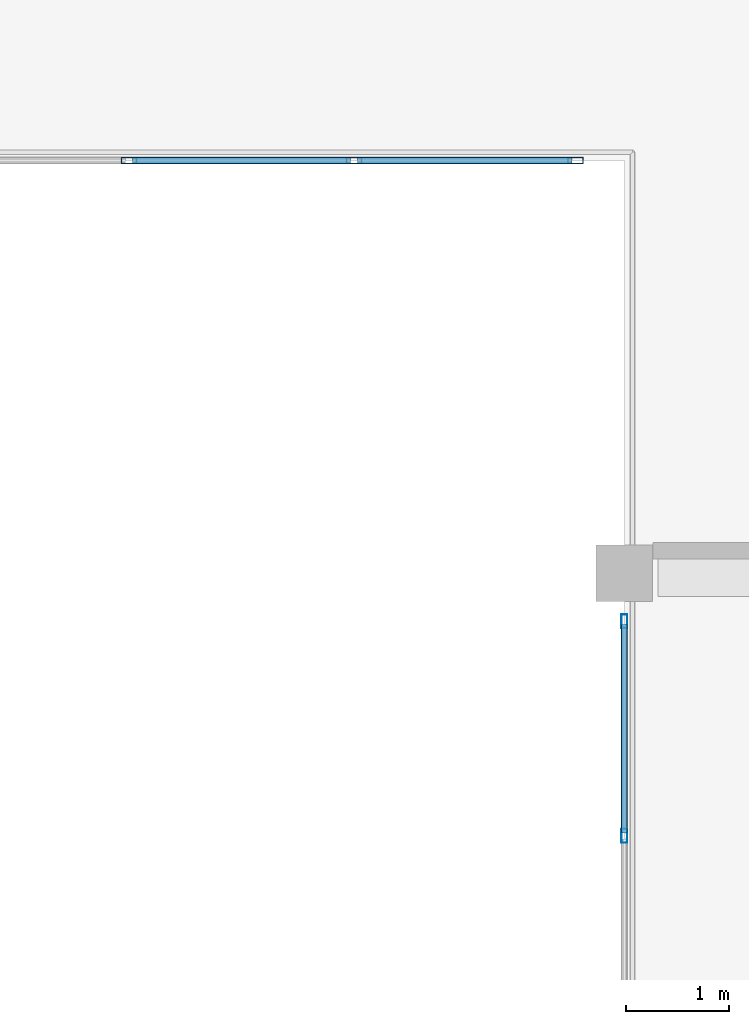
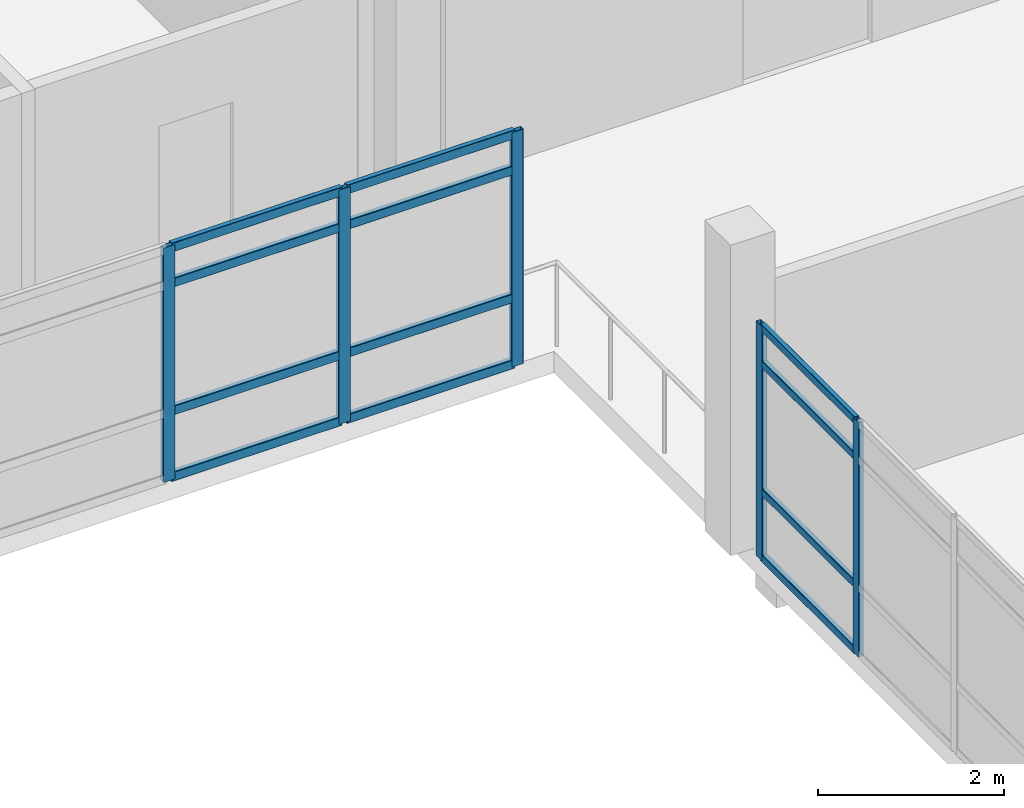
# One storey, part 20 of 50: 17 members, 2 elements without a shape of their own.
"""IFC4 building model written with IfcOpenShell, lengths in metres."""

from ifc_helpers import new_model, si_unit, direction, frame, origin, origin_2d, place, context, subcontext, project, spatial, hollow_rectangle, extrude, material, layer, layer_set, material_profile, profile_set, type_object, element, aggregate, save


model = new_model("IFC4")

# Units and contexts
model_context = context("Model", 3, precision=1e-05, world=origin(), true_north=direction((0.0, 1.0)))
body_context = subcontext(model_context, "Body", "Model", "MODEL_VIEW")
ifc_project = project(units=[si_unit("LENGTHUNIT", "METRE"), si_unit("AREAUNIT", "SQUARE_METRE"), si_unit("VOLUMEUNIT", "CUBIC_METRE"), si_unit("PLANEANGLEUNIT", "RADIAN"), si_unit("MASSUNIT", "GRAM", prefix="KILO")], contexts=[model_context])

# Site, building, storey
site_placement = place(None, origin())
site = spatial("IfcSite", under=ifc_project, at=site_placement, CompositionType="ELEMENT")
building_placement = place(site_placement, origin())
building = spatial("IfcBuilding", under=site, at=building_placement, Name="Asteropetra Specialist Clinic", CompositionType="ELEMENT")
storey_placement = place(building_placement, frame((0.0, 0.0, 16.659912109375)))
storey = spatial("IfcBuildingStorey", under=building, at=storey_placement, Name="L04", CompositionType="ELEMENT", Elevation=16.659912109375)

# Curtain wall, members
ifc_material_1 = material(Name="Aluminium and low-E glass", Category="aluminium")
ifc_layer_1 = layer(ifc_material_1, 0.135009765625)
ifc_layer_set_1 = layer_set([ifc_layer_1], Name="Aluminium and low-E glass")
curtain_wall_type_1 = type_object("IfcCurtainWallType", Name="CW-SYS-06", PredefinedType="USERDEFINED", material=ifc_layer_set_1)
curtain_wall_1_placement = place(storey_placement, origin())
curtain_wall_1 = element("IfcCurtainWall", 1, at=curtain_wall_1_placement, inside=storey, type_object=curtain_wall_type_1, Name="Curtain Wall CW-056", ObjectType="UNITISED CURTAIN WALL", PredefinedType="USERDEFINED")
ifc_material_2 = material(Name="Aluminium 6063-T6", Category="aluminium")
ifc_material_profile_1 = material_profile(ifc_material_2, hollow_rectangle(XDim=0.06005859375, YDim=0.135009765625, WallThickness=0.00341796875, InnerFilletRadius=0.00341796875, OuterFilletRadius=0.007080078125, at=origin_2d()), Name="MUL 135x60x3.5")
ifc_profile_set_1 = profile_set([ifc_material_profile_1], Name="Aluminium 6063-T6")
member_type_1 = type_object("IfcMemberType", Name="CWM-135x60", PredefinedType="MULLION", material=ifc_profile_set_1)
member_1_placement = place(storey_placement, frame((28.800048828125, 88.655029296875, 0.0), z_axis=(0.0, 0.0, 1.0), x_axis=(-1.0, 0.0, 0.0)))
member_1 = element("IfcMember", 2, at=member_1_placement, type_object=member_type_1, Name="CW-056 mullion 3", PredefinedType="MULLION", context=body_context, shape_type="SweptSolid", body=[
    extrude(hollow_rectangle(XDim=0.06005859375, YDim=0.135009765625, WallThickness=0.00341796875, InnerFilletRadius=0.00341796875, OuterFilletRadius=0.007080078125, at=origin_2d()), origin(), (0.0, 0.0, 1.0), 3.080078125),
])
member_2_placement = place(storey_placement, frame((28.800048828125, 90.735107421875, 0.0), z_axis=(0.0, 0.0, 1.0), x_axis=(-1.0, 0.0, 0.0)))
member_2 = element("IfcMember", 3, at=member_2_placement, type_object=member_type_1, Name="CW-056 mullion 4", PredefinedType="MULLION", context=body_context, shape_type="SweptSolid", body=[
    extrude(hollow_rectangle(XDim=0.06005859375, YDim=0.135009765625, WallThickness=0.00341796875, InnerFilletRadius=0.00341796875, OuterFilletRadius=0.007080078125, at=origin_2d()), origin(), (0.0, 0.0, 1.0), 3.080078125),
])

ifc_material_3 = material(Name="Aluminium and low-E glass", Category="aluminium")
ifc_layer_2 = layer(ifc_material_3, 0.179931640625)
ifc_layer_set_2 = layer_set([ifc_layer_2], Name="Aluminium and low-E glass")
curtain_wall_type_2 = type_object("IfcCurtainWallType", Name="CW-SYS-04", PredefinedType="USERDEFINED", material=ifc_layer_set_2)
curtain_wall_2_placement = place(storey_placement, origin())
curtain_wall_2 = element("IfcCurtainWall", 4, at=curtain_wall_2_placement, inside=storey, type_object=curtain_wall_type_2, Name="Curtain Wall CW-052", ObjectType="UNITISED CURTAIN WALL", PredefinedType="USERDEFINED")
ifc_material_4 = material(Name="Aluminium 6063-T6", Category="aluminium")
ifc_material_profile_2 = material_profile(ifc_material_4, hollow_rectangle(XDim=0.06494140625, YDim=0.14990234375, WallThickness=0.00390625, InnerFilletRadius=0.00390625, OuterFilletRadius=0.008056640625, at=origin_2d()), Name="MUL 150x65x4.0")
ifc_profile_set_2 = profile_set([ifc_material_profile_2], Name="Aluminium 6063-T6")
member_type_2 = type_object("IfcMemberType", Name="CWM-150x65", PredefinedType="MULLION", material=ifc_profile_set_2)
member_3_placement = place(storey_placement, frame((28.327392578125, 95.199951171875, 0.0), z_axis=(0.0, 0.0, 1.0), x_axis=(0.0, -1.0, 0.0)))
member_3 = element("IfcMember", 5, at=member_3_placement, type_object=member_type_2, Name="CW-052 mullion 1", PredefinedType="MULLION", context=body_context, shape_type="SweptSolid", body=[
    extrude(hollow_rectangle(XDim=0.06494140625, YDim=0.14990234375, WallThickness=0.00390625, InnerFilletRadius=0.00390625, OuterFilletRadius=0.008056640625, at=origin_2d()), origin(), (0.0, 0.0, 1.0), 3.080078125),
])
member_4_placement = place(storey_placement, frame((26.179931640625, 95.199951171875, 0.0), z_axis=(0.0, 0.0, 1.0), x_axis=(0.0, -1.0, 0.0)))
member_4 = element("IfcMember", 6, at=member_4_placement, type_object=member_type_2, Name="CW-052 mullion 2", PredefinedType="MULLION", context=body_context, shape_type="SweptSolid", body=[
    extrude(hollow_rectangle(XDim=0.06494140625, YDim=0.14990234375, WallThickness=0.00390625, InnerFilletRadius=0.00390625, OuterFilletRadius=0.008056640625, at=origin_2d()), origin(), (0.0, 0.0, 1.0), 3.080078125),
])
member_5_placement = place(storey_placement, frame((24.0, 95.199951171875, 0.0), z_axis=(0.0, 0.0, 1.0), x_axis=(0.0, -1.0, 0.0)))
member_5 = element("IfcMember", 7, at=member_5_placement, type_object=member_type_2, Name="CW-052 mullion 3", PredefinedType="MULLION", context=body_context, shape_type="SweptSolid", body=[
    extrude(hollow_rectangle(XDim=0.06494140625, YDim=0.14990234375, WallThickness=0.00390625, InnerFilletRadius=0.00390625, OuterFilletRadius=0.008056640625, at=origin_2d()), origin(), (0.0, 0.0, 1.0), 3.080078125),
])

# Member
ifc_material_5 = material(Name="Aluminium 6063-T6", Category="aluminium")
ifc_material_profile_3 = material_profile(ifc_material_5, hollow_rectangle(XDim=0.06005859375, YDim=0.10009765625, WallThickness=0.00341796875, InnerFilletRadius=0.00341796875, OuterFilletRadius=0.007080078125, at=origin_2d()), Name="TRN 100x60x3.5")
ifc_profile_set_3 = profile_set([ifc_material_profile_3], Name="Aluminium 6063-T6")
member_type_3 = type_object("IfcMemberType", Name="CWT-100x60", PredefinedType="USERDEFINED", material=ifc_profile_set_3)
member_6_placement = place(storey_placement, frame((28.800048828125, 88.68505859375, 0.030029296875), z_axis=(0.0, 1.0, 0.0), x_axis=(-1.0, 0.0, 0.0)))
member_6 = element("IfcMember", 8, at=member_6_placement, type_object=member_type_3, Name="CW-056 transom 3.1", ObjectType="TRANSOM", PredefinedType="USERDEFINED", context=body_context, shape_type="SweptSolid", body=[
    extrude(hollow_rectangle(XDim=0.06005859375, YDim=0.10009765625, WallThickness=0.00341796875, InnerFilletRadius=0.00341796875, OuterFilletRadius=0.007080078125, at=origin_2d()), origin(), (0.0, 0.0, 1.0), 2.02001953125),
])

member_7_placement = place(storey_placement, frame((28.800048828125, 88.68505859375, 0.900146484375), z_axis=(0.0, 1.0, 0.0), x_axis=(-1.0, 0.0, 0.0)))
member_7 = element("IfcMember", 9, at=member_7_placement, type_object=member_type_3, Name="CW-056 transom 3.2", ObjectType="TRANSOM", PredefinedType="USERDEFINED", context=body_context, shape_type="SweptSolid", body=[
    extrude(hollow_rectangle(XDim=0.06005859375, YDim=0.10009765625, WallThickness=0.00341796875, InnerFilletRadius=0.00341796875, OuterFilletRadius=0.007080078125, at=origin_2d()), origin(), (0.0, 0.0, 1.0), 2.02001953125),
])

member_8_placement = place(storey_placement, frame((28.800048828125, 88.68505859375, 2.580078125), z_axis=(0.0, 1.0, 0.0), x_axis=(-1.0, 0.0, 0.0)))
member_8 = element("IfcMember", 10, at=member_8_placement, type_object=member_type_3, Name="CW-056 transom 3.3", ObjectType="TRANSOM", PredefinedType="USERDEFINED", context=body_context, shape_type="SweptSolid", body=[
    extrude(hollow_rectangle(XDim=0.06005859375, YDim=0.10009765625, WallThickness=0.00341796875, InnerFilletRadius=0.00341796875, OuterFilletRadius=0.007080078125, at=origin_2d()), origin(), (0.0, 0.0, 1.0), 2.02001953125),
])

member_9_placement = place(storey_placement, frame((28.800048828125, 88.68505859375, 3.050048828125), z_axis=(0.0, 1.0, 0.0), x_axis=(-1.0, 0.0, 0.0)))
member_9 = element("IfcMember", 11, at=member_9_placement, type_object=member_type_3, Name="CW-056 transom 3.4", ObjectType="TRANSOM", PredefinedType="USERDEFINED", context=body_context, shape_type="SweptSolid", body=[
    extrude(hollow_rectangle(XDim=0.06005859375, YDim=0.10009765625, WallThickness=0.00341796875, InnerFilletRadius=0.00341796875, OuterFilletRadius=0.007080078125, at=origin_2d()), origin(), (0.0, 0.0, 1.0), 2.02001953125),
])

aggregate(curtain_wall_1, [member_1, member_2, member_6, member_7, member_8, member_9])

ifc_material_6 = material(Name="Aluminium 6063-T6", Category="aluminium")
ifc_material_profile_4 = material_profile(ifc_material_6, hollow_rectangle(XDim=0.06494140625, YDim=0.1201171875, WallThickness=0.00390625, InnerFilletRadius=0.00390625, OuterFilletRadius=0.008056640625, at=origin_2d()), Name="TRN 120x65x4.0")
ifc_profile_set_4 = profile_set([ifc_material_profile_4], Name="Aluminium 6063-T6")
member_type_4 = type_object("IfcMemberType", Name="CWT-120x65", PredefinedType="USERDEFINED", material=ifc_profile_set_4)
member_10_placement = place(storey_placement, frame((28.294921875, 95.199951171875, 0.032470703125), z_axis=(-1.0, 0.0, 0.0), x_axis=(0.0, -1.0, 0.0)))
member_10 = element("IfcMember", 12, at=member_10_placement, type_object=member_type_4, Name="CW-052 transom 1.1", ObjectType="TRANSOM", PredefinedType="USERDEFINED", context=body_context, shape_type="SweptSolid", body=[
    extrude(hollow_rectangle(XDim=0.06494140625, YDim=0.1201171875, WallThickness=0.00390625, InnerFilletRadius=0.00390625, OuterFilletRadius=0.008056640625, at=origin_2d()), origin(), (0.0, 0.0, 1.0), 2.08251953125),
])

member_11_placement = place(storey_placement, frame((28.294921875, 95.199951171875, 0.900146484375), z_axis=(-1.0, 0.0, 0.0), x_axis=(0.0, -1.0, 0.0)))
member_11 = element("IfcMember", 13, at=member_11_placement, type_object=member_type_4, Name="CW-052 transom 1.2", ObjectType="TRANSOM", PredefinedType="USERDEFINED", context=body_context, shape_type="SweptSolid", body=[
    extrude(hollow_rectangle(XDim=0.06494140625, YDim=0.1201171875, WallThickness=0.00390625, InnerFilletRadius=0.00390625, OuterFilletRadius=0.008056640625, at=origin_2d()), origin(), (0.0, 0.0, 1.0), 2.08251953125),
])

member_12_placement = place(storey_placement, frame((28.294921875, 95.199951171875, 2.580078125), z_axis=(-1.0, 0.0, 0.0), x_axis=(0.0, -1.0, 0.0)))
member_12 = element("IfcMember", 14, at=member_12_placement, type_object=member_type_4, Name="CW-052 transom 1.3", ObjectType="TRANSOM", PredefinedType="USERDEFINED", context=body_context, shape_type="SweptSolid", body=[
    extrude(hollow_rectangle(XDim=0.06494140625, YDim=0.1201171875, WallThickness=0.00390625, InnerFilletRadius=0.00390625, OuterFilletRadius=0.008056640625, at=origin_2d()), origin(), (0.0, 0.0, 1.0), 2.08251953125),
])

member_13_placement = place(storey_placement, frame((28.294921875, 95.199951171875, 3.047607421875), z_axis=(-1.0, 0.0, 0.0), x_axis=(0.0, -1.0, 0.0)))
member_13 = element("IfcMember", 15, at=member_13_placement, type_object=member_type_4, Name="CW-052 transom 1.4", ObjectType="TRANSOM", PredefinedType="USERDEFINED", context=body_context, shape_type="SweptSolid", body=[
    extrude(hollow_rectangle(XDim=0.06494140625, YDim=0.1201171875, WallThickness=0.00390625, InnerFilletRadius=0.00390625, OuterFilletRadius=0.008056640625, at=origin_2d()), origin(), (0.0, 0.0, 1.0), 2.08251953125),
])

member_14_placement = place(storey_placement, frame((26.1474609375, 95.199951171875, 0.032470703125), z_axis=(-1.0, 0.0, 0.0), x_axis=(0.0, -1.0, 0.0)))
member_14 = element("IfcMember", 16, at=member_14_placement, type_object=member_type_4, Name="CW-052 transom 2.1", ObjectType="TRANSOM", PredefinedType="USERDEFINED", context=body_context, shape_type="SweptSolid", body=[
    extrude(hollow_rectangle(XDim=0.06494140625, YDim=0.1201171875, WallThickness=0.00390625, InnerFilletRadius=0.00390625, OuterFilletRadius=0.008056640625, at=origin_2d()), origin(), (0.0, 0.0, 1.0), 2.114990234375),
])

member_15_placement = place(storey_placement, frame((26.1474609375, 95.199951171875, 0.900146484375), z_axis=(-1.0, 0.0, 0.0), x_axis=(0.0, -1.0, 0.0)))
member_15 = element("IfcMember", 17, at=member_15_placement, type_object=member_type_4, Name="CW-052 transom 2.2", ObjectType="TRANSOM", PredefinedType="USERDEFINED", context=body_context, shape_type="SweptSolid", body=[
    extrude(hollow_rectangle(XDim=0.06494140625, YDim=0.1201171875, WallThickness=0.00390625, InnerFilletRadius=0.00390625, OuterFilletRadius=0.008056640625, at=origin_2d()), origin(), (0.0, 0.0, 1.0), 2.114990234375),
])

member_16_placement = place(storey_placement, frame((26.1474609375, 95.199951171875, 2.580078125), z_axis=(-1.0, 0.0, 0.0), x_axis=(0.0, -1.0, 0.0)))
member_16 = element("IfcMember", 18, at=member_16_placement, type_object=member_type_4, Name="CW-052 transom 2.3", ObjectType="TRANSOM", PredefinedType="USERDEFINED", context=body_context, shape_type="SweptSolid", body=[
    extrude(hollow_rectangle(XDim=0.06494140625, YDim=0.1201171875, WallThickness=0.00390625, InnerFilletRadius=0.00390625, OuterFilletRadius=0.008056640625, at=origin_2d()), origin(), (0.0, 0.0, 1.0), 2.114990234375),
])

member_17_placement = place(storey_placement, frame((26.1474609375, 95.199951171875, 3.047607421875), z_axis=(-1.0, 0.0, 0.0), x_axis=(0.0, -1.0, 0.0)))
member_17 = element("IfcMember", 19, at=member_17_placement, type_object=member_type_4, Name="CW-052 transom 2.4", ObjectType="TRANSOM", PredefinedType="USERDEFINED", context=body_context, shape_type="SweptSolid", body=[
    extrude(hollow_rectangle(XDim=0.06494140625, YDim=0.1201171875, WallThickness=0.00390625, InnerFilletRadius=0.00390625, OuterFilletRadius=0.008056640625, at=origin_2d()), origin(), (0.0, 0.0, 1.0), 2.114990234375),
])

aggregate(curtain_wall_2, [member_3, member_4, member_5, member_10, member_11, member_12, member_13, member_14, member_15, member_16, member_17])

save(model, "model.ifc")
